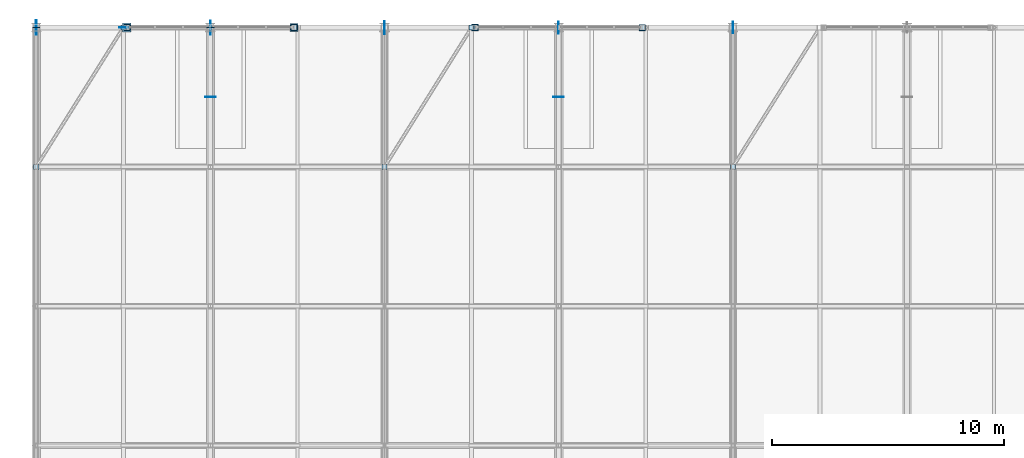
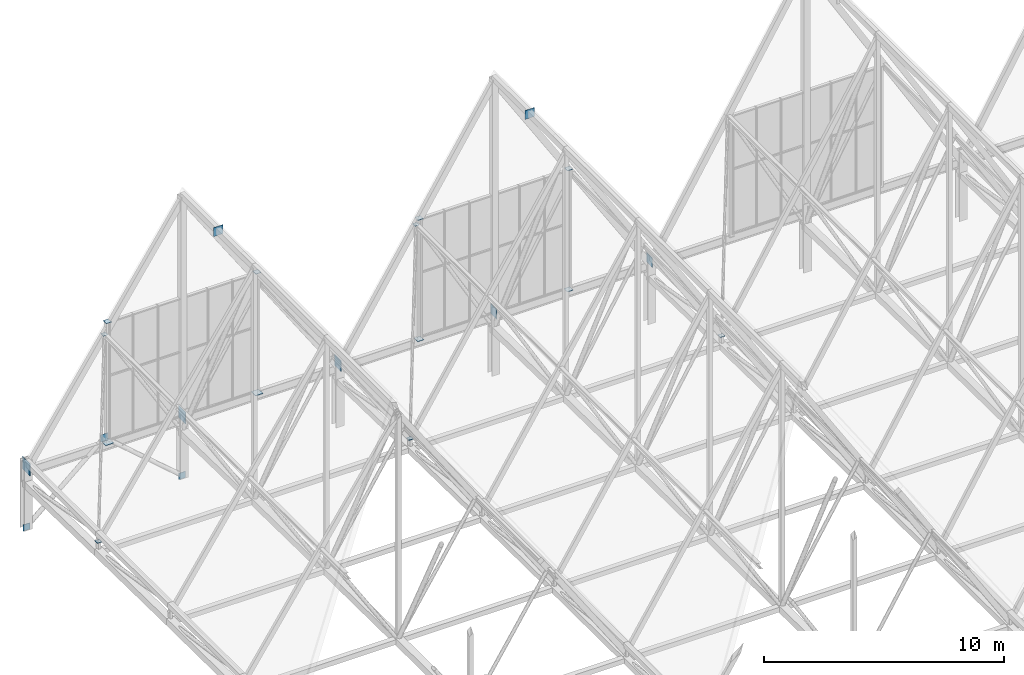
# One storey, part 295 of 324: 23 plates.
"""IFC4 building model written with IfcOpenShell, lengths in metres."""

from ifc_helpers import new_model, si_unit, direction, frame, origin, origin_2d, place, context, subcontext, project, spatial, rectangle, extrude, material, layer, layer_set, type_object, element, save


model = new_model("IFC4")

# Units and contexts
model_context = context("Model", 3, precision=1e-05, world=origin(), true_north=direction((0.0, 1.0)))
body_context = subcontext(model_context, "Body", "Model", "MODEL_VIEW")
ifc_project = project(units=[si_unit("LENGTHUNIT", "METRE"), si_unit("AREAUNIT", "SQUARE_METRE"), si_unit("VOLUMEUNIT", "CUBIC_METRE"), si_unit("PLANEANGLEUNIT", "RADIAN"), si_unit("MASSUNIT", "GRAM", prefix="KILO")], contexts=[model_context])

# Site, building, storey
site_placement = place(None, origin())
site = spatial("IfcSite", under=ifc_project, at=site_placement, CompositionType="ELEMENT")
building_placement = place(site_placement, origin())
building = spatial("IfcBuilding", under=site, at=building_placement, Name="Solvenia Promenade Tram Depot", CompositionType="ELEMENT")
storey_placement = place(building_placement, frame((0.0, 0.0, 4.5)))
storey = spatial("IfcBuildingStorey", under=building, at=storey_placement, Name="L01", CompositionType="ELEMENT", Elevation=4.5)

# Plates
ifc_material = material(Name="Structural steel ASTM A572 Gr. 50", Category="steel")
ifc_layer_1 = layer(ifc_material, 0.02392578125, Name="Structural steel ASTM A572 Gr. 50", Category="steel")
ifc_layer_set_1 = layer_set([ifc_layer_1], Name="Structural steel ASTM A572 Gr. 50")
plate_type_1 = type_object("IfcPlateType", Name="EndCap-CP1", PredefinedType="SHEET", material=ifc_layer_set_1)
for number, where, z_axis, x_axis, name in (
    (1, (0.0, 126.0, -0.10986328125), (0.0, 0.0, 1.0), (1.0, 0.0, 0.0), "Chevron Left Foot Gusset Plate 05"),
    (2, (7.5, 126.0, -0.10986328125), (0.0, 0.0, 1.0), (1.0, 0.0, 0.0), "Chevron Right Foot Gusset Plate 05"),
):
    element("IfcPlate", number, at=place(storey_placement, frame(where, z_axis=z_axis, x_axis=x_axis)), inside=storey, type_object=plate_type_1, Name=name, PredefinedType="SHEET", context=body_context, shape_type="SweptSolid", body=[
        extrude(rectangle(XDim=0.320068359375, YDim=0.02392578125, at=origin_2d()), origin(), (0.0, 0.0, 1.0), 0.320068359375),
    ])
ifc_layer_2 = layer(ifc_material, 0.02197265625, Name="Structural steel ASTM A572 Gr. 50", Category="steel")
ifc_layer_set_2 = layer_set([ifc_layer_2], Name="Structural steel ASTM A572 Gr. 50")
plate_type_2 = type_object("IfcPlateType", Name="EndCap-CP2", PredefinedType="SHEET", material=ifc_layer_set_2)
plate_1_placement = place(storey_placement, frame((3.89990234375, 126.0, 2.989013671875), z_axis=(0.0, 0.0, 1.0), x_axis=(1.0, 0.0, 0.0)))
element("IfcPlate", 3, at=plate_1_placement, inside=storey, type_object=plate_type_2, Name="Gable Jamb Bottom Cap Plate 001", PredefinedType="SHEET", context=body_context, shape_type="SweptSolid", body=[
    extrude(rectangle(XDim=0.3798828125, YDim=0.3798828125, at=origin_2d()), origin(), (0.0, 0.0, 1.0), 0.02197265625),
])
ifc_layer_3 = layer(ifc_material, 0.02099609375, Name="Structural steel ASTM A572 Gr. 50", Category="steel")
ifc_layer_set_3 = layer_set([ifc_layer_3], Name="Structural steel ASTM A572 Gr. 50")
plate_type_3 = type_object("IfcPlateType", Name="EndCap-CP3", PredefinedType="SHEET", material=ifc_layer_set_3)
plate_2_placement = place(storey_placement, frame((3.75, 126.0, 3.1201171875), z_axis=(0.0, 0.0, 1.0), x_axis=(1.0, 0.0, 0.0)))
element("IfcPlate", 4, at=plate_2_placement, inside=storey, type_object=plate_type_3, Name="Chevron Gusset Cap Plate 05", PredefinedType="SHEET", context=body_context, shape_type="SweptSolid", body=[
    extrude(rectangle(XDim=0.360107421875, YDim=0.02001953125, at=origin_2d()), origin(), (0.0, 0.0, 1.0), 0.360107421875),
])
plate_3_placement = place(storey_placement, frame((11.10009765625, 126.0, 2.989501953125), z_axis=(0.0, 0.0, 1.0), x_axis=(1.0, 0.0, 0.0)))
element("IfcPlate", 5, at=plate_3_placement, inside=storey, type_object=plate_type_3, Name="Gable Jamb Bottom Cap Plate 002", PredefinedType="SHEET", context=body_context, shape_type="SweptSolid", body=[
    extrude(rectangle(XDim=0.360107421875, YDim=0.360107421875, at=origin_2d()), origin(), (0.0, 0.0, 1.0), 0.02099609375),
])
ifc_layer_4 = layer(ifc_material, 0.02001953125, Name="Structural steel ASTM A572 Gr. 50", Category="steel")
ifc_layer_set_4 = layer_set([ifc_layer_4], Name="Structural steel ASTM A572 Gr. 50")
plate_type_4 = type_object("IfcPlateType", Name="EndCap-CP4", PredefinedType="SHEET", material=ifc_layer_set_4)
for number, where, z_axis, x_axis, name in (
    (6, (3.89990234375, 126.0, 9.141845703125), (0.0, 0.0, 1.0), (1.0, 0.0, 0.0), "Gable Jamb Top Cap Plate 001"),
    (7, (11.10009765625, 126.0, 9.141845703125), (0.0, 0.0, 1.0), (1.0, 0.0, 0.0), "Gable Jamb Top Cap Plate 002"),
    (8, (18.89990234375, 126.0, 9.141845703125), (0.0, 0.0, 1.0), (1.0, 0.0, 0.0), "Gable Jamb Top Cap Plate 005"),
    (9, (26.10009765625, 126.0, 9.141845703125), (0.0, 0.0, 1.0), (1.0, 0.0, 0.0), "Gable Jamb Top Cap Plate 006"),
):
    element("IfcPlate", number, at=place(storey_placement, frame(where, z_axis=z_axis, x_axis=x_axis)), inside=storey, type_object=plate_type_4, Name=name, PredefinedType="SHEET", context=body_context, shape_type="SweptSolid", body=[
        extrude(rectangle(XDim=0.260009765625, YDim=0.260009765625, at=origin_2d()), origin(), (0.0, 0.0, 1.0), 0.01611328125),
    ])
ifc_layer_5 = layer(ifc_material, 0.01904296875, Name="Structural steel ASTM A572 Gr. 50", Category="steel")
ifc_layer_set_5 = layer_set([ifc_layer_5], Name="Structural steel ASTM A572 Gr. 50")
plate_type_5 = type_object("IfcPlateType", Name="EndCap-CP5", PredefinedType="SHEET", material=ifc_layer_set_5)
for number, where, z_axis, x_axis, name in (
    (10, (0.0, 120.0, 2.947509765625), (0.0, 0.0, 1.0), (1.0, 0.0, 0.0), "Roof Brace Node Plate 002A"),
    (11, (3.75, 126.0, 8.534912109375), (0.0, 0.0, 1.0), (1.0, 0.0, 0.0), "Roof Brace Node Plate 002B"),
    (12, (15.0, 120.0, 2.93310546875), (0.0, 0.0, 1.0), (1.0, 0.0, 0.0), "Roof Brace Node Plate 004A"),
    (13, (18.75, 126.0, 8.878173828125), (0.0, 0.0, 1.0), (1.0, 0.0, 0.0), "Roof Brace Node Plate 004B"),
    (14, (30.0, 120.0, 2.920654296875), (0.0, 0.0, 1.0), (1.0, 0.0, 0.0), "Roof Brace Node Plate 006A"),
):
    element("IfcPlate", number, at=place(storey_placement, frame(where, z_axis=z_axis, x_axis=x_axis)), inside=storey, type_object=plate_type_5, Name=name, PredefinedType="SHEET", context=body_context, shape_type="SweptSolid", body=[
        extrude(rectangle(XDim=0.219970703125, YDim=0.219970703125, at=origin_2d()), origin(), (0.0, 0.0, 1.0), 0.01904296875),
    ])
ifc_layer_6 = layer(ifc_material, 0.01806640625, Name="Structural steel ASTM A572 Gr. 50", Category="steel")
ifc_layer_set_6 = layer_set([ifc_layer_6], Name="Structural steel ASTM A572 Gr. 50")
plate_type_6 = type_object("IfcPlateType", Name="EndCap-CP6", PredefinedType="SHEET", material=ifc_layer_set_6)
plate_4_placement = place(storey_placement, frame((18.89990234375, 126.0, 2.990966796875), z_axis=(0.0, 0.0, 1.0), x_axis=(1.0, 0.0, 0.0)))
element("IfcPlate", 15, at=plate_4_placement, inside=storey, type_object=plate_type_6, Name="Gable Jamb Bottom Cap Plate 005", PredefinedType="SHEET", context=body_context, shape_type="SweptSolid", body=[
    extrude(rectangle(XDim=0.300048828125, YDim=0.300048828125, at=origin_2d()), origin(), (0.0, 0.0, 1.0), 0.01806640625),
])
ifc_layer_7 = layer(ifc_material, 0.01708984375, Name="Structural steel ASTM A572 Gr. 50", Category="steel")
ifc_layer_set_7 = layer_set([ifc_layer_7], Name="Structural steel ASTM A572 Gr. 50")
plate_type_7 = type_object("IfcPlateType", Name="EndCap-CP7", PredefinedType="SHEET", material=ifc_layer_set_7)
plate_5_placement = place(storey_placement, frame((26.10009765625, 126.0, 2.991455078125), z_axis=(0.0, 0.0, 1.0), x_axis=(1.0, 0.0, 0.0)))
element("IfcPlate", 16, at=plate_5_placement, inside=storey, type_object=plate_type_7, Name="Gable Jamb Bottom Cap Plate 006", PredefinedType="SHEET", context=body_context, shape_type="SweptSolid", body=[
    extrude(rectangle(XDim=0.280029296875, YDim=0.280029296875, at=origin_2d()), origin(), (0.0, 0.0, 1.0), 0.01708984375),
])
ifc_layer_8 = layer(ifc_material, 0.02587890625, Name="Structural steel ASTM A572 Gr. 50", Category="steel")
ifc_layer_set_8 = layer_set([ifc_layer_8], Name="Structural steel ASTM A572 Gr. 50")
plate_type_8 = type_object("IfcPlateType", Name="Gusset-GP2", PredefinedType="USERDEFINED", material=ifc_layer_set_8)
plate_6_placement = place(storey_placement, frame((0.0, 126.0, 2.83984375), z_axis=(0.0, 0.0, 1.0), x_axis=(1.0, 0.0, 0.0)))
element("IfcPlate", 17, at=plate_6_placement, inside=storey, type_object=plate_type_8, Name="Arched Truss Shoe Gusset 1N", ObjectType="GUSSET PLATE", PredefinedType="USERDEFINED", context=body_context, shape_type="SweptSolid", body=[
    extrude(rectangle(XDim=0.02587890625, YDim=0.6201171875, at=origin_2d()), origin(), (0.0, 0.0, 1.0), 0.6201171875),
])
ifc_layer_9 = layer(ifc_material, 0.02490234375, Name="Structural steel ASTM A572 Gr. 50", Category="steel")
ifc_layer_set_9 = layer_set([ifc_layer_9], Name="Structural steel ASTM A572 Gr. 50")
plate_type_9 = type_object("IfcPlateType", Name="Gusset-GP3", PredefinedType="USERDEFINED", material=ifc_layer_set_9)
plate_7_placement = place(storey_placement, frame((7.5, 126.0, 2.849853515625), z_axis=(0.0, 0.0, 1.0), x_axis=(1.0, 0.0, 0.0)))
element("IfcPlate", 18, at=plate_7_placement, inside=storey, type_object=plate_type_9, Name="Arched Truss Shoe Gusset 2N", ObjectType="GUSSET PLATE", PredefinedType="USERDEFINED", context=body_context, shape_type="SweptSolid", body=[
    extrude(rectangle(XDim=0.02490234375, YDim=0.60009765625, at=origin_2d()), origin(), (0.0, 0.0, 1.0), 0.60009765625),
])
ifc_layer_10 = layer(ifc_material, 0.02392578125, Name="Structural steel ASTM A572 Gr. 50", Category="steel")
ifc_layer_set_10 = layer_set([ifc_layer_10], Name="Structural steel ASTM A572 Gr. 50")
plate_type_10 = type_object("IfcPlateType", Name="Gusset-GP4", PredefinedType="USERDEFINED", material=ifc_layer_set_10)
plate_8_placement = place(storey_placement, frame((7.5, 123.0, 14.10009765625), z_axis=(0.0, 0.0, 1.0), x_axis=(1.0, 0.0, 0.0)))
element("IfcPlate", 19, at=plate_8_placement, inside=storey, type_object=plate_type_10, Name="Ridge Node Gusset T02-S10", ObjectType="GUSSET PLATE", PredefinedType="USERDEFINED", context=body_context, shape_type="SweptSolid", body=[
    extrude(rectangle(XDim=0.449951171875, YDim=0.02001953125, at=origin_2d()), origin(), (0.0, 0.0, 1.0), 0.449951171875),
])
plate_9_placement = place(storey_placement, frame((15.0, 126.0, 2.869873046875), z_axis=(0.0, 0.0, 1.0), x_axis=(1.0, 0.0, 0.0)))
element("IfcPlate", 20, at=plate_9_placement, inside=storey, type_object=plate_type_10, Name="Arched Truss Shoe Gusset 3N", ObjectType="GUSSET PLATE", PredefinedType="USERDEFINED", context=body_context, shape_type="SweptSolid", body=[
    extrude(rectangle(XDim=0.02392578125, YDim=0.56005859375, at=origin_2d()), origin(), (0.0, 0.0, 1.0), 0.56005859375),
])
plate_10_placement = place(storey_placement, frame((22.5, 123.0, 14.81494140625), z_axis=(0.0, 0.0, 1.0), x_axis=(1.0, 0.0, 0.0)))
element("IfcPlate", 21, at=plate_10_placement, inside=storey, type_object=plate_type_10, Name="Ridge Node Gusset T04-S10", ObjectType="GUSSET PLATE", PredefinedType="USERDEFINED", context=body_context, shape_type="SweptSolid", body=[
    extrude(rectangle(XDim=0.449951171875, YDim=0.02001953125, at=origin_2d()), origin(), (0.0, 0.0, 1.0), 0.449951171875),
])
ifc_layer_11 = layer(ifc_material, 0.02197265625, Name="Structural steel ASTM A572 Gr. 50", Category="steel")
ifc_layer_set_11 = layer_set([ifc_layer_11], Name="Structural steel ASTM A572 Gr. 50")
plate_type_11 = type_object("IfcPlateType", Name="Gusset-GP5", PredefinedType="USERDEFINED", material=ifc_layer_set_11)
plate_11_placement = place(storey_placement, frame((22.5, 126.0, 2.889892578125), z_axis=(0.0, 0.0, 1.0), x_axis=(1.0, 0.0, 0.0)))
element("IfcPlate", 22, at=plate_11_placement, inside=storey, type_object=plate_type_11, Name="Arched Truss Shoe Gusset 4N", ObjectType="GUSSET PLATE", PredefinedType="USERDEFINED", context=body_context, shape_type="SweptSolid", body=[
    extrude(rectangle(XDim=0.02197265625, YDim=0.52001953125, at=origin_2d()), origin(), (0.0, 0.0, 1.0), 0.52001953125),
])
ifc_layer_12 = layer(ifc_material, 0.02099609375, Name="Structural steel ASTM A572 Gr. 50", Category="steel")
ifc_layer_set_12 = layer_set([ifc_layer_12], Name="Structural steel ASTM A572 Gr. 50")
plate_type_12 = type_object("IfcPlateType", Name="Gusset-GP6", PredefinedType="USERDEFINED", material=ifc_layer_set_12)
plate_12_placement = place(storey_placement, frame((30.0, 126.0, 2.909912109375), z_axis=(0.0, 0.0, 1.0), x_axis=(1.0, 0.0, 0.0)))
element("IfcPlate", 23, at=plate_12_placement, inside=storey, type_object=plate_type_12, Name="Arched Truss Shoe Gusset 5N", ObjectType="GUSSET PLATE", PredefinedType="USERDEFINED", context=body_context, shape_type="SweptSolid", body=[
    extrude(rectangle(XDim=0.02099609375, YDim=0.47998046875, at=origin_2d()), origin(), (0.0, 0.0, 1.0), 0.47998046875),
])

save(model, "model.ifc")
